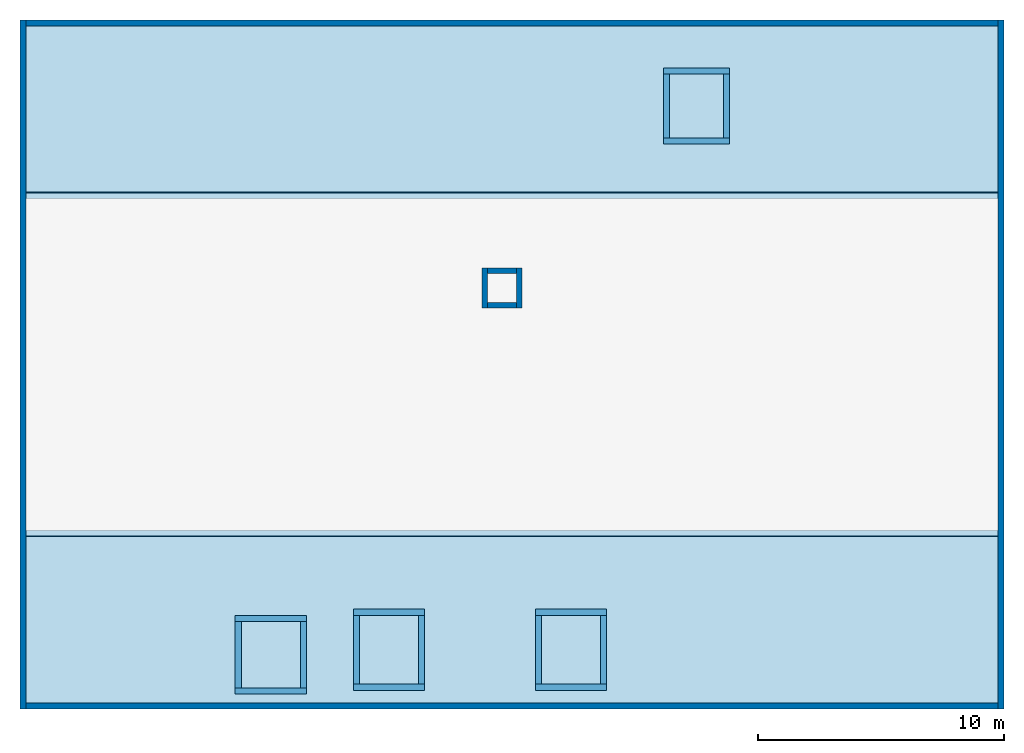
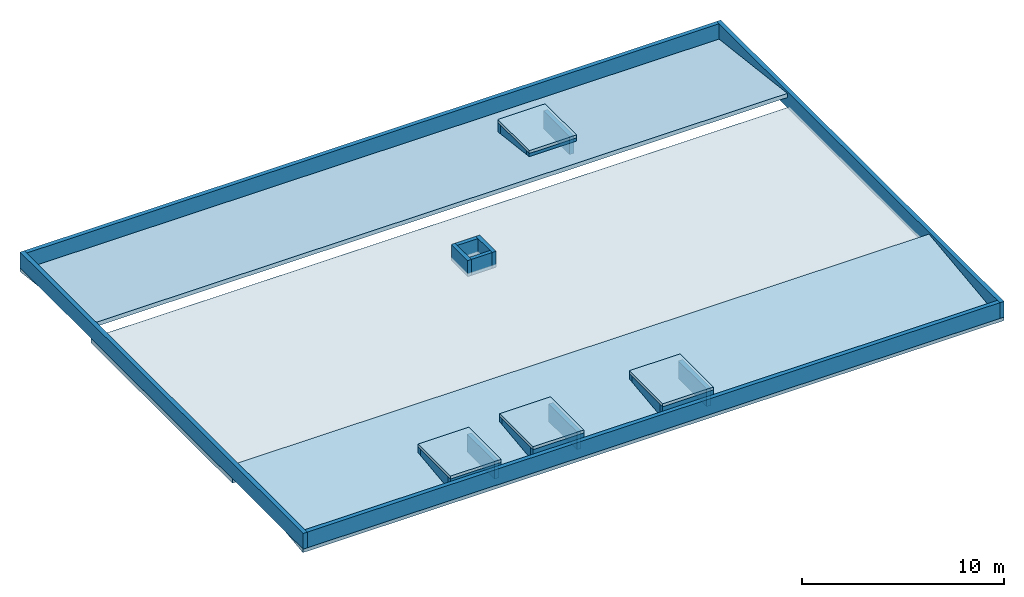
# One storey, part 1 of 2: 24 walls, 7 slabs.
"""IFC4 building model written with IfcOpenShell, lengths in metres."""

from ifc_helpers import new_model, si_unit, direction, frame, frame_2d, origin, place, context, subcontext, project, spatial, polyline, rectangle, outline, extrude, material, layer, layer_set, type_object, element, save


model = new_model("IFC4")

# Units and contexts
model_context = context("Model", 3, precision=1e-05, world=origin(), true_north=direction((0.0, 1.0)))
body_context = subcontext(model_context, "Body", "Model", "MODEL_VIEW")
ifc_project = project(units=[si_unit("LENGTHUNIT", "METRE"), si_unit("AREAUNIT", "SQUARE_METRE"), si_unit("VOLUMEUNIT", "CUBIC_METRE"), si_unit("PLANEANGLEUNIT", "RADIAN"), si_unit("MASSUNIT", "GRAM", prefix="KILO")], contexts=[model_context])

# Site, building, storey
site_placement = place(None, origin())
site = spatial("IfcSite", under=ifc_project, at=site_placement, CompositionType="ELEMENT")
building_placement = place(site_placement, origin())
building = spatial("IfcBuilding", under=site, at=building_placement, Name="Naurynzar Civic Courthouse", CompositionType="ELEMENT")
storey_placement = place(building_placement, frame((0.0, 0.0, 40.800048828125)))
storey = spatial("IfcBuildingStorey", under=building, at=storey_placement, Name="ROOF", CompositionType="ELEMENT", Elevation=40.800048828125)

# Slabs
ifc_material_1 = material(Name="Concrete C40/50", Category="concrete")
ifc_layer_1 = layer(ifc_material_1, 0.22998046875)
ifc_layer_set_1 = layer_set([ifc_layer_1], Name="ROOF-CRWN-230")
slab_type_1 = type_object("IfcSlabType", Name="ROOF-CRWN-230", PredefinedType="ROOF", material=ifc_layer_set_1)
for number, where, z_axis, x_axis, name in (
    (1, (69.0, 44.0, 0.0), (0.0, -0.120522653429, 0.992710577163), (1.0, 0.0, 0.0), "V2 Civil Courts south sloped crown roof slab"),
    (2, (69.0, 65.0, 0.849853515625), (0.0, 0.120522653429, 0.992710577163), (1.0, 0.0, 0.0), "V2 Civil Courts north sloped crown roof slab"),
):
    element("IfcSlab", number, at=place(storey_placement, frame(where, z_axis=z_axis, x_axis=x_axis)), inside=storey, type_object=slab_type_1, Name=name, PredefinedType="ROOF", context=body_context, shape_type="SweptSolid", body=[
        extrude(outline(polyline([(0.0, 0.0), (40.0, 0.0), (40.0, 7.051400640867045), (0.0, 7.051400640867045), (0.0, 0.0)])), origin(), (0.0, 0.0, -1.0), 0.22998046875),
    ])
slab_1_placement = place(storey_placement, frame((0.0, 0.0, 0.800048828125)))
element("IfcSlab", 3, at=slab_1_placement, inside=storey, type_object=slab_type_1, Name="Lift LP-03 overrun cap slab", PredefinedType="ROOF", context=body_context, shape_type="SweptSolid", body=[
    extrude(outline(polyline([(77.75, 44.60009765625), (80.64990234375, 44.60009765625), (80.64990234375, 47.800048828125), (77.75, 47.800048828125), (77.75, 44.60009765625)])), origin(), (0.0, 0.0, 1.0), 0.179931640625),
])
slab_2_placement = place(storey_placement, frame((0.0, 0.0, 0.800048828125)))
element("IfcSlab", 4, at=slab_2_placement, inside=storey, type_object=slab_type_1, Name="Lift FL-02 overrun cap slab", PredefinedType="ROOF", context=body_context, shape_type="SweptSolid", body=[
    extrude(outline(polyline([(82.550048828125, 44.75), (85.449951171875, 44.75), (85.449951171875, 48.050048828125), (82.550048828125, 48.050048828125), (82.550048828125, 44.75)])), origin(), (0.0, 0.0, 1.0), 0.179931640625),
])
slab_3_placement = place(storey_placement, frame((0.0, 0.0, 0.800048828125)))
element("IfcSlab", 5, at=slab_3_placement, inside=storey, type_object=slab_type_1, Name="Lift FL-01 overrun cap slab", PredefinedType="ROOF", context=body_context, shape_type="SweptSolid", body=[
    extrude(outline(polyline([(89.949951171875, 44.75), (92.85009765625, 44.75), (92.85009765625, 48.050048828125), (89.949951171875, 48.050048828125), (89.949951171875, 44.75)])), origin(), (0.0, 0.0, 1.0), 0.179931640625),
])
slab_4_placement = place(storey_placement, frame((0.0, 0.0, 0.800048828125)))
element("IfcSlab", 6, at=slab_4_placement, inside=storey, type_object=slab_type_1, Name="Lift LJ-02 overrun cap slab", PredefinedType="ROOF", context=body_context, shape_type="SweptSolid", body=[
    extrude(outline(polyline([(95.14990234375, 66.949951171875), (97.85009765625, 66.949951171875), (97.85009765625, 70.050048828125), (95.14990234375, 70.050048828125), (95.14990234375, 66.949951171875)])), origin(), (0.0, 0.0, 1.0), 0.179931640625),
])
ifc_material_2 = material(Name="Concrete C40/50", Category="concrete")
ifc_layer_2 = layer(ifc_material_2, 0.27001953125)
ifc_layer_set_2 = layer_set([ifc_layer_2], Name="ROOF-FLAT-270")
slab_type_2 = type_object("IfcSlabType", Name="ROOF-FLAT-270", PredefinedType="ROOF", material=ifc_layer_set_2)
slab_5_placement = place(storey_placement, frame((0.0, 0.0, -0.27001953125)))
element("IfcSlab", 7, at=slab_5_placement, inside=storey, type_object=slab_type_2, Name="V2 Civil Courts central roof slab", PredefinedType="ROOF", context=body_context, shape_type="SweptSolid", body=[
    extrude(outline(polyline([(69.0, 51.0), (109.0, 51.0), (109.0, 65.0), (69.0, 65.0), (69.0, 51.0)]), holes=[polyline([(88.0, 60.5), (89.199951171875, 60.5), (89.199951171875, 61.699951171875), (88.0, 61.699951171875), (88.0, 60.5)])]), origin(), (0.0, 0.0, 1.0), 0.27001953125),
])

# Walls
ifc_material_3 = material(Name="Precast concrete C40/50", Category="concrete")
ifc_layer_3 = layer(ifc_material_3, 0.219970703125)
ifc_layer_set_3 = layer_set([ifc_layer_3], Name="WL-PARA-220")
wall_type_1 = type_object("IfcWallType", Name="WL-PARA-220", PredefinedType="PARAPET", material=ifc_layer_set_3)
for number, where, z_axis, x_axis, name in (
    (8, (87.89990234375, 60.2900390625, 0.0), (0.0, 0.0, 1.0), (0.0, 1.0, 0.0), "Roof perimeter parapet V2C-RS.50"),
    (9, (89.300048828125, 61.909912109375, 0.0), (0.0, 0.0, 1.0), (0.0, -1.0, 0.0), "Roof perimeter parapet V2C-RS.51"),
):
    element("IfcWall", number, at=place(storey_placement, frame(where, z_axis=z_axis, x_axis=x_axis)), inside=storey, type_object=wall_type_1, Name=name, PredefinedType="PARAPET", context=body_context, shape_type="SweptSolid", body=[
        extrude(rectangle(XDim=1.619873046875, YDim=0.219970703125, at=frame_2d((0.81005859375, 0.0))), origin(), (0.0, 0.0, 1.0), 0.949951171875),
    ])
for number, where, z_axis, x_axis, name in (
    (10, (88.010009765625, 61.800048828125, 0.0), (0.0, 0.0, 1.0), (1.0, 0.0, 0.0), "Roof perimeter parapet V2C-RS.52"),
    (11, (89.18994140625, 60.39990234375, 0.0), (0.0, 0.0, 1.0), (-1.0, 0.0, 0.0), "Roof perimeter parapet V2C-RS.53"),
):
    element("IfcWall", number, at=place(storey_placement, frame(where, z_axis=z_axis, x_axis=x_axis)), inside=storey, type_object=wall_type_1, Name=name, PredefinedType="PARAPET", context=body_context, shape_type="SweptSolid", body=[
        extrude(rectangle(XDim=1.179931640625, YDim=0.219970703125, at=frame_2d((0.58984375, 0.0))), origin(), (0.0, 0.0, 1.0), 0.949951171875),
    ])
ifc_material_4 = material(Name="Precast concrete C40/50", Category="concrete")
ifc_layer_4 = layer(ifc_material_4, 0.239990234375)
ifc_layer_set_4 = layer_set([ifc_layer_4], Name="WL-PARA-240")
wall_type_2 = type_object("IfcWallType", Name="WL-PARA-240", PredefinedType="PARAPET", material=ifc_layer_set_4)
for number, where, z_axis, x_axis, name in (
    (12, (69.1201171875, 44.0, 0.0), (0.0, 0.0, 1.0), (0.0, 1.0, 0.0), "Roof perimeter parapet V2-RF.1"),
    (13, (108.8798828125, 72.0, 0.0), (0.0, 0.0, 1.0), (0.0, -1.0, 0.0), "Roof perimeter parapet V2-RF.2"),
):
    element("IfcWall", number, at=place(storey_placement, frame(where, z_axis=z_axis, x_axis=x_axis)), inside=storey, type_object=wall_type_2, Name=name, PredefinedType="PARAPET", context=body_context, shape_type="SweptSolid", body=[
        extrude(rectangle(XDim=28.0, YDim=0.239990234375, at=frame_2d((14.0, 0.0))), origin(), (0.0, 0.0, 1.0), 0.949951171875),
    ])
for number, where, z_axis, x_axis, name in (
    (14, (69.239990234375, 71.8798828125, 0.0), (0.0, 0.0, 1.0), (1.0, 0.0, 0.0), "Roof perimeter parapet V2-RF.3"),
    (15, (108.760009765625, 44.1201171875, 0.0), (0.0, 0.0, 1.0), (-1.0, 0.0, 0.0), "Roof perimeter parapet V2-RF.4"),
):
    element("IfcWall", number, at=place(storey_placement, frame(where, z_axis=z_axis, x_axis=x_axis)), inside=storey, type_object=wall_type_2, Name=name, PredefinedType="PARAPET", context=body_context, shape_type="SweptSolid", body=[
        extrude(rectangle(XDim=39.52001953125, YDim=0.239990234375, at=frame_2d((19.760009765625, 0.0))), origin(), (0.0, 0.0, 1.0), 0.949951171875),
    ])
ifc_material_5 = material(Name="Concrete C40/50", Category="concrete")
ifc_layer_5 = layer(ifc_material_5, 0.25)
ifc_layer_set_5 = layer_set([ifc_layer_5], Name="WL-SHAFT-250")
wall_type_3 = type_object("IfcWallType", Name="WL-SHAFT-250", PredefinedType="SHEAR", material=ifc_layer_set_5)
for number, where, z_axis, x_axis, name in (
    (16, (77.75, 44.72509765625, -0.280029296875), (0.0, 0.0, 1.0), (1.0, 0.0, 0.0), "Lift LP-03 overrun shaft wall south"),
    (17, (80.64990234375, 47.675048828125, -0.280029296875), (0.0, 0.0, 1.0), (-1.0, 0.0, 0.0), "Lift LP-03 overrun shaft wall north"),
):
    element("IfcWall", number, at=place(storey_placement, frame(where, z_axis=z_axis, x_axis=x_axis)), inside=storey, type_object=wall_type_3, Name=name, PredefinedType="SHEAR", context=body_context, shape_type="SweptSolid", body=[
        extrude(rectangle(XDim=2.89990234375, YDim=0.25, at=frame_2d((1.449951171875, 0.0))), origin(), (0.0, 0.0, 1.0), 1.080078125),
    ])
for number, where, z_axis, x_axis, name in (
    (18, (77.875, 47.544921875, -0.280029296875), (0.0, 0.0, 1.0), (0.0, -1.0, 0.0), "Lift LP-03 overrun shaft wall west"),
    (19, (80.52490234375, 44.85498046875, -0.280029296875), (0.0, 0.0, 1.0), (0.0, 1.0, 0.0), "Lift LP-03 overrun shaft wall east"),
):
    element("IfcWall", number, at=place(storey_placement, frame(where, z_axis=z_axis, x_axis=x_axis)), inside=storey, type_object=wall_type_3, Name=name, PredefinedType="SHEAR", context=body_context, shape_type="SweptSolid", body=[
        extrude(rectangle(XDim=2.68994140625, YDim=0.25, at=frame_2d((1.344970703125, 0.0))), origin(), (0.0, 0.0, 1.0), 1.080078125),
    ])
for number, where, z_axis, x_axis, name in (
    (20, (82.550048828125, 44.875, -0.280029296875), (0.0, 0.0, 1.0), (1.0, 0.0, 0.0), "Lift FL-02 overrun shaft wall south"),
    (21, (85.449951171875, 47.925048828125, -0.280029296875), (0.0, 0.0, 1.0), (-1.0, 0.0, 0.0), "Lift FL-02 overrun shaft wall north"),
):
    element("IfcWall", number, at=place(storey_placement, frame(where, z_axis=z_axis, x_axis=x_axis)), inside=storey, type_object=wall_type_3, Name=name, PredefinedType="SHEAR", context=body_context, shape_type="SweptSolid", body=[
        extrude(rectangle(XDim=2.89990234375, YDim=0.25, at=frame_2d((1.449951171875, 0.0))), origin(), (0.0, 0.0, 1.0), 1.080078125),
    ])
for number, where, z_axis, x_axis, name in (
    (22, (82.675048828125, 47.794921875, -0.280029296875), (0.0, 0.0, 1.0), (0.0, -1.0, 0.0), "Lift FL-02 overrun shaft wall west"),
    (23, (85.324951171875, 45.0048828125, -0.280029296875), (0.0, 0.0, 1.0), (0.0, 1.0, 0.0), "Lift FL-02 overrun shaft wall east"),
):
    element("IfcWall", number, at=place(storey_placement, frame(where, z_axis=z_axis, x_axis=x_axis)), inside=storey, type_object=wall_type_3, Name=name, PredefinedType="SHEAR", context=body_context, shape_type="SweptSolid", body=[
        extrude(rectangle(XDim=2.7900390625, YDim=0.25, at=frame_2d((1.39501953125, 0.0))), origin(), (0.0, 0.0, 1.0), 1.080078125),
    ])
for number, where, z_axis, x_axis, name in (
    (24, (89.949951171875, 44.875, -0.280029296875), (0.0, 0.0, 1.0), (1.0, 0.0, 0.0), "Lift FL-01 overrun shaft wall south"),
    (25, (92.85009765625, 47.925048828125, -0.280029296875), (0.0, 0.0, 1.0), (-1.0, 0.0, 0.0), "Lift FL-01 overrun shaft wall north"),
):
    element("IfcWall", number, at=place(storey_placement, frame(where, z_axis=z_axis, x_axis=x_axis)), inside=storey, type_object=wall_type_3, Name=name, PredefinedType="SHEAR", context=body_context, shape_type="SweptSolid", body=[
        extrude(rectangle(XDim=2.900146484375, YDim=0.25, at=frame_2d((1.4501953125, 0.0))), origin(), (0.0, 0.0, 1.0), 1.080078125),
    ])
for number, where, z_axis, x_axis, name in (
    (26, (90.074951171875, 47.794921875, -0.280029296875), (0.0, 0.0, 1.0), (0.0, -1.0, 0.0), "Lift FL-01 overrun shaft wall west"),
    (27, (92.72509765625, 45.0048828125, -0.280029296875), (0.0, 0.0, 1.0), (0.0, 1.0, 0.0), "Lift FL-01 overrun shaft wall east"),
):
    element("IfcWall", number, at=place(storey_placement, frame(where, z_axis=z_axis, x_axis=x_axis)), inside=storey, type_object=wall_type_3, Name=name, PredefinedType="SHEAR", context=body_context, shape_type="SweptSolid", body=[
        extrude(rectangle(XDim=2.7900390625, YDim=0.25, at=frame_2d((1.39501953125, 0.0))), origin(), (0.0, 0.0, 1.0), 1.080078125),
    ])
for number, where, z_axis, x_axis, name in (
    (28, (95.14990234375, 67.074951171875, -0.280029296875), (0.0, 0.0, 1.0), (1.0, 0.0, 0.0), "Lift LJ-02 overrun shaft wall south"),
    (29, (97.85009765625, 69.925048828125, -0.280029296875), (0.0, 0.0, 1.0), (-1.0, 0.0, 0.0), "Lift LJ-02 overrun shaft wall north"),
):
    element("IfcWall", number, at=place(storey_placement, frame(where, z_axis=z_axis, x_axis=x_axis)), inside=storey, type_object=wall_type_3, Name=name, PredefinedType="SHEAR", context=body_context, shape_type="SweptSolid", body=[
        extrude(rectangle(XDim=2.7001953125, YDim=0.25, at=frame_2d((1.35009765625, 0.0))), origin(), (0.0, 0.0, 1.0), 1.080078125),
    ])
for number, where, z_axis, x_axis, name in (
    (30, (95.27490234375, 69.794921875, -0.280029296875), (0.0, 0.0, 1.0), (0.0, -1.0, 0.0), "Lift LJ-02 overrun shaft wall west"),
    (31, (97.72509765625, 67.205078125, -0.280029296875), (0.0, 0.0, 1.0), (0.0, 1.0, 0.0), "Lift LJ-02 overrun shaft wall east"),
):
    element("IfcWall", number, at=place(storey_placement, frame(where, z_axis=z_axis, x_axis=x_axis)), inside=storey, type_object=wall_type_3, Name=name, PredefinedType="SHEAR", context=body_context, shape_type="SweptSolid", body=[
        extrude(rectangle(XDim=2.58984375, YDim=0.25, at=frame_2d((1.294921875, 0.0))), origin(), (0.0, 0.0, 1.0), 1.080078125),
    ])

save(model, "model.ifc")
